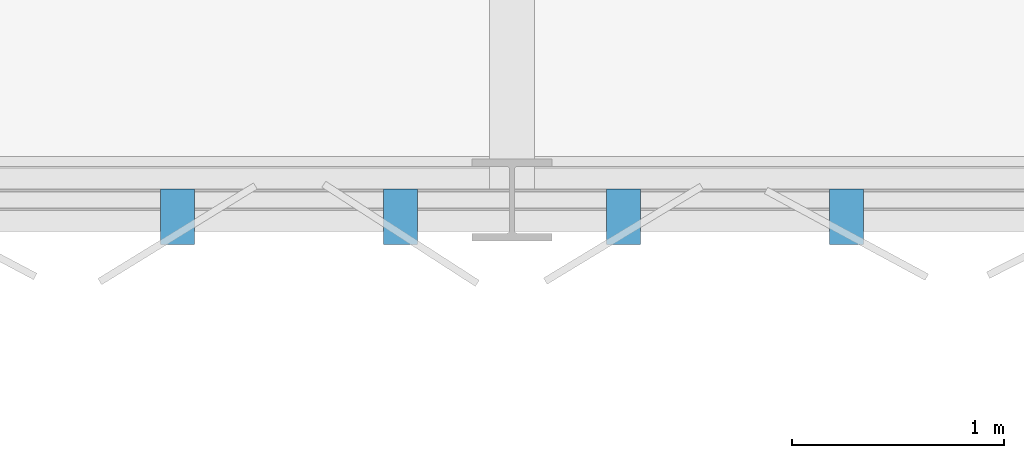
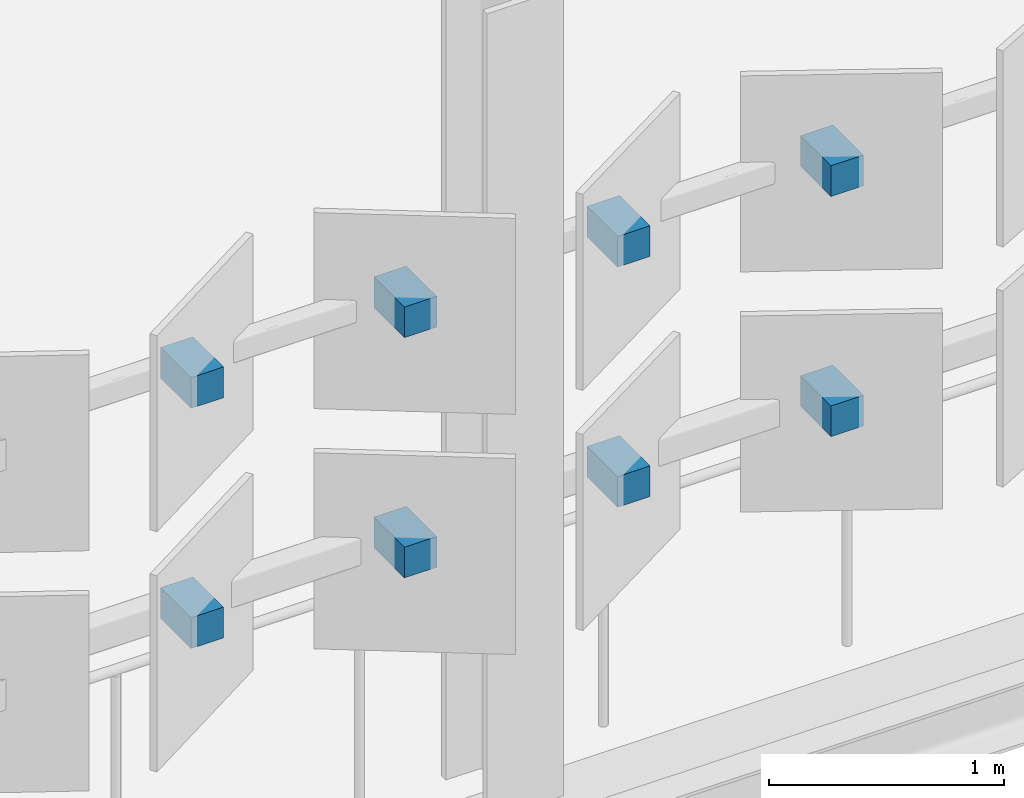
# One storey, part 148 of 163: 8 discrete accessories.
"""IFC4 building model written with IfcOpenShell, lengths in metres."""

from ifc_helpers import new_model, si_unit, direction, frame, origin, origin_2d, place, context, subcontext, project, spatial, rectangle, extrude, material, type_object, element, save


model = new_model("IFC4")

# Units and contexts
model_context = context("Model", 3, precision=1e-05, world=origin(), true_north=direction((0.0, 1.0)))
body_context = subcontext(model_context, "Body", "Model", "MODEL_VIEW")
ifc_project = project(units=[si_unit("LENGTHUNIT", "METRE"), si_unit("AREAUNIT", "SQUARE_METRE"), si_unit("VOLUMEUNIT", "CUBIC_METRE"), si_unit("PLANEANGLEUNIT", "RADIAN"), si_unit("MASSUNIT", "GRAM", prefix="KILO")], contexts=[model_context])

# Site, building, storey
site_placement = place(None, origin())
site = spatial("IfcSite", under=ifc_project, at=site_placement, CompositionType="ELEMENT")
building_placement = place(site_placement, origin())
building = spatial("IfcBuilding", under=site, at=building_placement, Name="Qalvenar Corner Mobility Hub", CompositionType="ELEMENT")
storey_placement = place(building_placement, frame((0.0, 0.0, 4.800048828125)))
storey = spatial("IfcBuildingStorey", under=building, at=storey_placement, Name="L01", CompositionType="ELEMENT", Elevation=4.800048828125)

# Discrete accessories
ifc_material = material(Name="Steel S355", Category="steel")
discrete_accessory_type = type_object("IfcDiscreteAccessoryType", Name="ACC-HINGE-BRK", PredefinedType="BRACKET", material=ifc_material)
for number, where, z_axis, x_axis, name in (
    (1, (124.425048828125, 67.1201171875, 1.419921875), (0.0, 0.0, 1.0), (1.0, 0.0, 0.0), "Panel Hinge Bracket BK-L01-0109"),
    (2, (124.425048828125, 67.1201171875, 2.669921875), (0.0, 0.0, 1.0), (1.0, 0.0, 0.0), "Panel Hinge Bracket BK-L01-0110"),
    (3, (125.47509765625, 67.1201171875, 1.419921875), (0.0, 0.0, 1.0), (1.0, 0.0, 0.0), "Panel Hinge Bracket BK-L01-0111"),
    (4, (125.47509765625, 67.1201171875, 2.669921875), (0.0, 0.0, 1.0), (1.0, 0.0, 0.0), "Panel Hinge Bracket BK-L01-0112"),
    (5, (126.52490234375, 67.1201171875, 1.419921875), (0.0, 0.0, 1.0), (1.0, 0.0, 0.0), "Panel Hinge Bracket BK-L01-0113"),
    (6, (126.52490234375, 67.1201171875, 2.669921875), (0.0, 0.0, 1.0), (1.0, 0.0, 0.0), "Panel Hinge Bracket BK-L01-0114"),
    (7, (127.574951171875, 67.1201171875, 1.419921875), (0.0, 0.0, 1.0), (1.0, 0.0, 0.0), "Panel Hinge Bracket BK-L01-0115"),
    (8, (127.574951171875, 67.1201171875, 2.669921875), (0.0, 0.0, 1.0), (1.0, 0.0, 0.0), "Panel Hinge Bracket BK-L01-0116"),
):
    element("IfcDiscreteAccessory", number, at=place(storey_placement, frame(where, z_axis=z_axis, x_axis=x_axis)), inside=storey, type_object=discrete_accessory_type, Name=name, PredefinedType="BRACKET", context=body_context, shape_type="SweptSolid", body=[
        extrude(rectangle(XDim=0.159912109375, YDim=0.260009765625, at=origin_2d()), origin(), (0.0, 0.0, 1.0), 0.159912109375),
    ])

save(model, "model.ifc")
